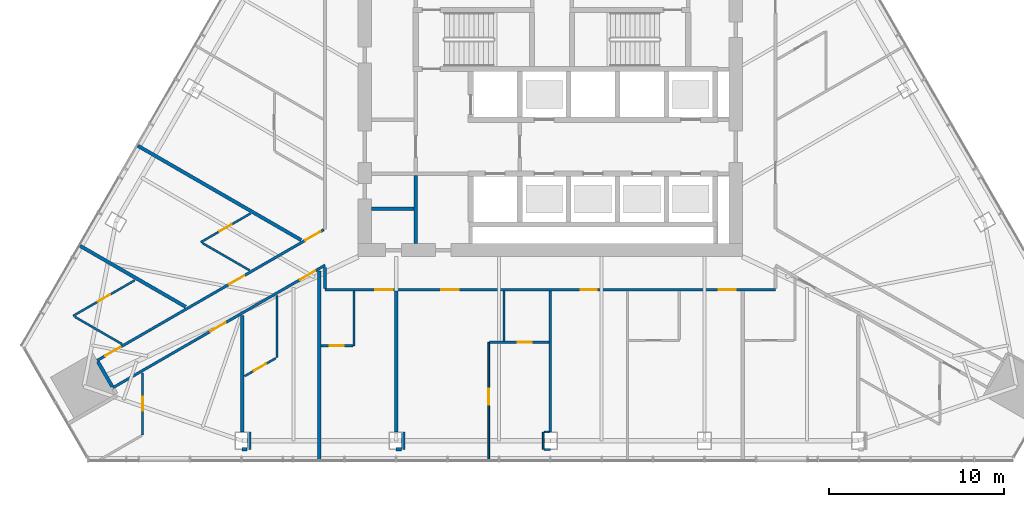
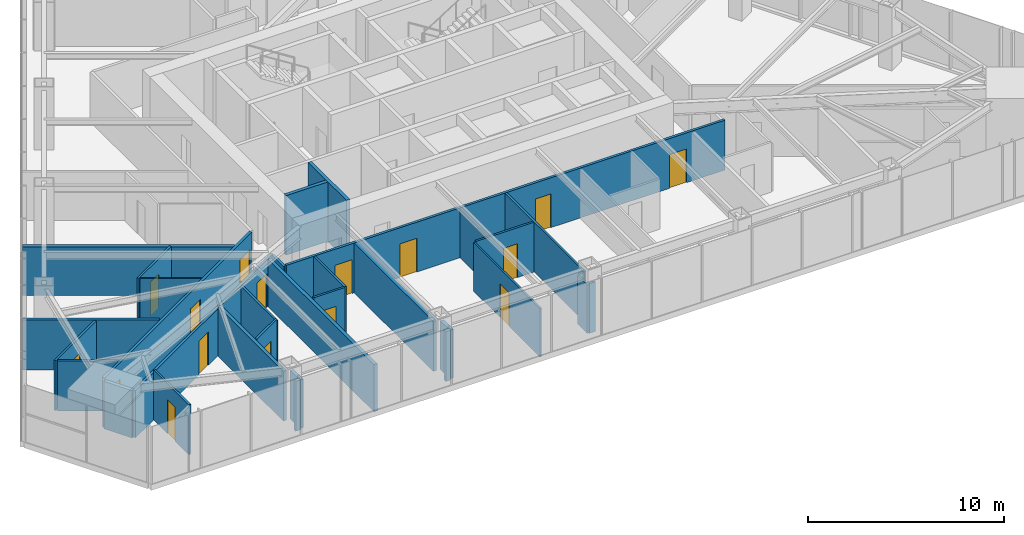
# One storey, part 13 of 19: 32 walls, 16 doors, 16 openings.
"""IFC4 building model written with IfcOpenShell, lengths in metres."""

from ifc_helpers import new_model, si_unit, direction, frame, frame_2d, origin, place, context, subcontext, project, spatial, rectangle, extrude, material, layer, layer_set, type_object, element, fill, save


model = new_model("IFC4")

# Units and contexts
model_context = context("Model", 3, precision=1e-05, world=origin(), true_north=direction((0.0, 1.0)))
body_context = subcontext(model_context, "Body", "Model", "MODEL_VIEW")
ifc_project = project(units=[si_unit("LENGTHUNIT", "METRE"), si_unit("AREAUNIT", "SQUARE_METRE"), si_unit("VOLUMEUNIT", "CUBIC_METRE"), si_unit("PLANEANGLEUNIT", "RADIAN"), si_unit("MASSUNIT", "GRAM", prefix="KILO")], contexts=[model_context])

# Site, building, storey
site_placement = place(None, origin())
site = spatial("IfcSite", under=ifc_project, at=site_placement, CompositionType="ELEMENT")
building_placement = place(site_placement, origin())
building = spatial("IfcBuilding", under=site, at=building_placement, Name="Firuza Gate Tower and Library", CompositionType="ELEMENT")
storey_placement = place(building_placement, frame((0.0, 0.0, 183.10009765625)))
storey = spatial("IfcBuildingStorey", under=building, at=storey_placement, Name="L42", CompositionType="ELEMENT", Elevation=183.10009765625)

# Walls
ifc_material_1 = material(Name="Plasterboard on steel studs", Category="steel")
ifc_layer_1 = layer(ifc_material_1, 0.199951171875)
ifc_layer_set_1 = layer_set([ifc_layer_1], Name="Core partition 200 EI 120")
wall_type_1 = type_object("IfcWallType", Name="Core partition 200 EI 120", PredefinedType="PARTITIONING", material=ifc_layer_set_1)
wall_1_placement = place(storey_placement, frame((67.300048828125, 67.75, 0.0), z_axis=(0.0, 0.0, 1.0), x_axis=(0.0, 1.0, 0.0)))
element("IfcWall", 1, at=wall_1_placement, inside=storey, type_object=wall_type_1, Name="Core partition L42 7", PredefinedType="PARTITIONING", context=body_context, shape_type="SweptSolid", body=[
    extrude(rectangle(XDim=3.89990234375, YDim=0.199951171875, at=frame_2d((1.949951171875, 0.0))), origin(), (0.0, 0.0, 1.0), 3.699951171875),
])
ifc_material_2 = material(Name="Plasterboard on steel studs", Category="steel")
ifc_layer_2 = layer(ifc_material_2, 0.199951171875)
ifc_layer_set_2 = layer_set([ifc_layer_2], Name="Core partition 200 EI 60")
wall_type_2 = type_object("IfcWallType", Name="Core partition 200 EI 60", PredefinedType="PARTITIONING", material=ifc_layer_set_2)
wall_2_placement = place(storey_placement, frame((64.75, 69.75, 0.0), z_axis=(0.0, 0.0, 1.0), x_axis=(1.0, 0.0, 0.0)))
element("IfcWall", 2, at=wall_2_placement, inside=storey, type_object=wall_type_2, Name="Core partition L42 1", PredefinedType="PARTITIONING", context=body_context, shape_type="SweptSolid", body=[
    extrude(rectangle(XDim=2.449951171875, YDim=0.199951171875, at=frame_2d((1.22509765625, 0.0))), origin(), (0.0, 0.0, 1.0), 3.699951171875),
])

# Wall, openings, doors
ifc_material_3 = material(Name="Gypsum board partition")
ifc_layer_3 = layer(ifc_material_3, 0.14990234375)
ifc_layer_set_3 = layer_set([ifc_layer_3], Name="Corridor wall 150 double board on steel studs")
wall_type_3 = type_object("IfcWallType", Name="Corridor wall 150 double board on steel studs", PredefinedType="PARTITIONING", material=ifc_layer_set_3)
wall_3_placement = place(storey_placement, frame((87.89990234375, 65.10009765625, 0.0), z_axis=(0.0, 0.0, 1.0), x_axis=(-1.0, 0.0, 0.0)))
wall_3 = element("IfcWall", 3, at=wall_3_placement, inside=storey, type_object=wall_type_3, Name="f:L42:w009", PredefinedType="PARTITIONING", context=body_context, shape_type="SweptSolid", body=[
    extrude(rectangle(XDim=25.7998046875, YDim=0.14990234375, at=frame_2d((12.89990234375, 0.0))), origin(), (0.0, 0.0, 1.0), 3.099853515625),
])
opening_1_placement = place(wall_3_placement, frame((2.26416015625, 0.0, 0.0)))
opening_1 = element("IfcOpeningElement", 4, at=opening_1_placement, cuts=wall_3, Name="Opening L42-05", PredefinedType="OPENING", context=body_context, shape_type="SweptSolid", body=[
    extrude(rectangle(XDim=1.0, YDim=2.10009765625, at=frame_2d((0.5, 1.050048828125))), frame((0.0, 0.0849609375, 0.0), z_axis=(0.0, -1.0, 0.0), x_axis=(1.0, 0.0, 0.0)), (0.0, 0.0, 1.0), 0.169921875),
])
opening_2_placement = place(wall_3_placement, frame((10.244140625, 0.0, 0.0)))
opening_2 = element("IfcOpeningElement", 5, at=opening_2_placement, cuts=wall_3, Name="Opening L42-06", PredefinedType="OPENING", context=body_context, shape_type="SweptSolid", body=[
    extrude(rectangle(XDim=0.89990234375, YDim=2.10009765625, at=frame_2d((0.449951171875, 1.050048828125))), frame((0.0, 0.0849609375, 0.0), z_axis=(0.0, -1.0, 0.0), x_axis=(1.0, 0.0, 0.0)), (0.0, 0.0, 1.0), 0.169921875),
])
opening_3_placement = place(wall_3_placement, frame((18.135498046875, 0.0, 0.0)))
opening_3 = element("IfcOpeningElement", 6, at=opening_3_placement, cuts=wall_3, Name="Opening L42-07", PredefinedType="OPENING", context=body_context, shape_type="SweptSolid", body=[
    extrude(rectangle(XDim=1.0, YDim=2.10009765625, at=frame_2d((0.5, 1.050048828125))), frame((0.0, 0.0849609375, 0.0), z_axis=(0.0, -1.0, 0.0), x_axis=(1.0, 0.0, 0.0)), (0.0, 0.0, 1.0), 0.169921875),
])
opening_4_placement = place(wall_3_placement, frame((21.935791015625, 0.0, 0.0)))
opening_4 = element("IfcOpeningElement", 7, at=opening_4_placement, cuts=wall_3, Name="Opening L42-08", PredefinedType="OPENING", context=body_context, shape_type="SweptSolid", body=[
    extrude(rectangle(XDim=1.0, YDim=2.10009765625, at=frame_2d((0.5, 1.050048828125))), frame((0.0, 0.0849609375, 0.0), z_axis=(0.0, -1.0, 0.0), x_axis=(1.0, 0.0, 0.0)), (0.0, 0.0, 1.0), 0.169921875),
])
ifc_material_4 = material(Name="Steel door and timber leaf", Category="steel")
door_type_1 = type_object("IfcDoorType", Name="Fire door 1000 x 2100 steel frame, timber leaf", OperationType="NOTDEFINED", PredefinedType="DOOR", material=ifc_material_4)
door_1_placement = place(opening_1_placement, origin())
door_1 = element("IfcDoor", 8, at=door_1_placement, inside=storey, type_object=door_type_1, Name="f:L42:d005", OperationType="SINGLE_SWING_RIGHT", OverallHeight=2.10009765625, OverallWidth=1.0, PredefinedType="DOOR", context=body_context, shape_type="SweptSolid", body=[
    extrude(rectangle(XDim=1.0, YDim=2.10009765625, at=frame_2d((0.5, 1.050048828125))), frame((0.0, 0.02490234375, 0.0), z_axis=(0.0, -1.0, 0.0), x_axis=(1.0, 0.0, 0.0)), (0.0, 0.0, 1.0), 0.050048828125),
])
fill(opening_1, door_1)
door_2_placement = place(opening_3_placement, origin())
door_2 = element("IfcDoor", 9, at=door_2_placement, inside=storey, type_object=door_type_1, Name="f:L42:d007", OperationType="SINGLE_SWING_RIGHT", OverallHeight=2.10009765625, OverallWidth=1.0, PredefinedType="DOOR", context=body_context, shape_type="SweptSolid", body=[
    extrude(rectangle(XDim=1.0, YDim=2.10009765625, at=frame_2d((0.5, 1.050048828125))), frame((0.0, 0.02490234375, 0.0), z_axis=(0.0, -1.0, 0.0), x_axis=(1.0, 0.0, 0.0)), (0.0, 0.0, 1.0), 0.050048828125),
])
fill(opening_3, door_2)
door_3_placement = place(opening_4_placement, origin())
door_3 = element("IfcDoor", 10, at=door_3_placement, inside=storey, type_object=door_type_1, Name="f:L42:d008", OperationType="SINGLE_SWING_RIGHT", OverallHeight=2.10009765625, OverallWidth=1.0, PredefinedType="DOOR", context=body_context, shape_type="SweptSolid", body=[
    extrude(rectangle(XDim=1.0, YDim=2.10009765625, at=frame_2d((0.5, 1.050048828125))), frame((0.0, 0.02490234375, 0.0), z_axis=(0.0, -1.0, 0.0), x_axis=(1.0, 0.0, 0.0)), (0.0, 0.0, 1.0), 0.050048828125),
])
fill(opening_4, door_3)
ifc_material_5 = material(Name="Steel door and timber leaf", Category="steel")
door_type_2 = type_object("IfcDoorType", Name="Fire door 900 x 2100 steel frame, timber leaf", OperationType="NOTDEFINED", PredefinedType="DOOR", material=ifc_material_5)
door_4_placement = place(opening_2_placement, origin())
door_4 = element("IfcDoor", 11, at=door_4_placement, inside=storey, type_object=door_type_2, Name="f:L42:d006", OperationType="SINGLE_SWING_LEFT", OverallHeight=2.10009765625, OverallWidth=0.89990234375, PredefinedType="DOOR", context=body_context, shape_type="SweptSolid", body=[
    extrude(rectangle(XDim=0.89990234375, YDim=2.10009765625, at=frame_2d((0.449951171875, 1.050048828125))), frame((0.0, 0.02490234375, 0.0), z_axis=(0.0, -1.0, 0.0), x_axis=(1.0, 0.0, 0.0)), (0.0, 0.0, 1.0), 0.050048828125),
])
fill(opening_2, door_4)

wall_4_placement = place(storey_placement, frame((62.099853515625, 66.512939453125, 0.0), z_axis=(0.0, 0.0, 1.0), x_axis=(-0.866025334814, -0.500000119461, 0.0)))
wall_4 = element("IfcWall", 12, at=wall_4_placement, inside=storey, type_object=wall_type_3, Name="f:L42:w025", PredefinedType="PARTITIONING", context=body_context, shape_type="SweptSolid", body=[
    extrude(rectangle(XDim=14.02978515625, YDim=0.14990234375, at=frame_2d((7.014892578125, 0.0))), origin(), (0.0, 0.0, 1.0), 2.947021484375),
])
opening_5_placement = place(wall_4_placement, frame((0.656005859375, 0.0, 0.0)))
opening_5 = element("IfcOpeningElement", 13, at=opening_5_placement, cuts=wall_4, Name="Opening L42-15", PredefinedType="OPENING", context=body_context, shape_type="SweptSolid", body=[
    extrude(rectangle(XDim=1.0, YDim=2.10009765625, at=frame_2d((0.5, 1.050048828125))), frame((0.0, 0.0849609375, 0.0), z_axis=(0.0, -1.0, 0.0), x_axis=(1.0, 0.0, 0.0)), (0.0, 0.0, 1.0), 0.169921875),
])
opening_6_placement = place(wall_4_placement, frame((6.581787109375, 0.0, 0.0)))
opening_6 = element("IfcOpeningElement", 14, at=opening_6_placement, cuts=wall_4, Name="Opening L42-16", PredefinedType="OPENING", context=body_context, shape_type="SweptSolid", body=[
    extrude(rectangle(XDim=1.0, YDim=2.10009765625, at=frame_2d((0.5, 1.050048828125))), frame((0.0, 0.0849609375, 0.0), z_axis=(0.0, -1.0, 0.0), x_axis=(1.0, 0.0, 0.0)), (0.0, 0.0, 1.0), 0.169921875),
])
door_5_placement = place(opening_5_placement, origin())
door_5 = element("IfcDoor", 15, at=door_5_placement, inside=storey, type_object=door_type_1, Name="f:L42:d015", OperationType="SINGLE_SWING_RIGHT", OverallHeight=2.10009765625, OverallWidth=1.0, PredefinedType="DOOR", context=body_context, shape_type="SweptSolid", body=[
    extrude(rectangle(XDim=1.0, YDim=2.10009765625, at=frame_2d((0.5, 1.050048828125))), frame((0.0, 0.02490234375, 0.0), z_axis=(0.0, -1.0, 0.0), x_axis=(1.0, 0.0, 0.0)), (0.0, 0.0, 1.0), 0.050048828125),
])
fill(opening_5, door_5)
door_6_placement = place(opening_6_placement, origin())
door_6 = element("IfcDoor", 16, at=door_6_placement, inside=storey, type_object=door_type_1, Name="f:L42:d016", OperationType="SINGLE_SWING_RIGHT", OverallHeight=2.10009765625, OverallWidth=1.0, PredefinedType="DOOR", context=body_context, shape_type="SweptSolid", body=[
    extrude(rectangle(XDim=1.0, YDim=2.10009765625, at=frame_2d((0.5, 1.050048828125))), frame((0.0, 0.02490234375, 0.0), z_axis=(0.0, -1.0, 0.0), x_axis=(1.0, 0.0, 0.0)), (0.0, 0.0, 1.0), 0.050048828125),
])
fill(opening_6, door_6)

wall_5_placement = place(storey_placement, frame((49.050048828125, 61.05712890625, 0.0), z_axis=(0.0, 0.0, 1.0), x_axis=(0.866027379905, 0.499996577244, 0.0)))
wall_5 = element("IfcWall", 17, at=wall_5_placement, inside=storey, type_object=wall_type_3, Name="f:L42:w028", PredefinedType="PARTITIONING", context=body_context, shape_type="SweptSolid", body=[
    extrude(rectangle(XDim=14.98193359375, YDim=0.14990234375, at=frame_2d((7.490966796875, 0.0))), origin(), (0.0, 0.0, 1.0), 3.099853515625),
])
opening_7_placement = place(wall_5_placement, frame((0.532470703125, 0.0, 0.0)))
opening_7 = element("IfcOpeningElement", 18, at=opening_7_placement, cuts=wall_5, Name="Opening L42-17", PredefinedType="OPENING", context=body_context, shape_type="SweptSolid", body=[
    extrude(rectangle(XDim=1.0, YDim=2.10009765625, at=frame_2d((0.5, 1.050048828125))), frame((0.0, 0.0849609375, 0.0), z_axis=(0.0, -1.0, 0.0), x_axis=(1.0, 0.0, 0.0)), (0.0, 0.0, 1.0), 0.169921875),
])
opening_8_placement = place(wall_5_placement, frame((8.724853515625, 0.0, 0.0)))
opening_8 = element("IfcOpeningElement", 19, at=opening_8_placement, cuts=wall_5, Name="Opening L42-18", PredefinedType="OPENING", context=body_context, shape_type="SweptSolid", body=[
    extrude(rectangle(XDim=1.0, YDim=2.10009765625, at=frame_2d((0.5, 1.050048828125))), frame((0.0, 0.0849609375, 0.0), z_axis=(0.0, -1.0, 0.0), x_axis=(1.0, 0.0, 0.0)), (0.0, 0.0, 1.0), 0.169921875),
])
opening_9_placement = place(wall_5_placement, frame((13.760498046875, 0.0, 0.0)))
opening_9 = element("IfcOpeningElement", 20, at=opening_9_placement, cuts=wall_5, Name="Opening L42-19", PredefinedType="OPENING", context=body_context, shape_type="SweptSolid", body=[
    extrude(rectangle(XDim=1.0, YDim=2.10009765625, at=frame_2d((0.5, 1.050048828125))), frame((0.0, 0.0849609375, 0.0), z_axis=(0.0, -1.0, 0.0), x_axis=(1.0, 0.0, 0.0)), (0.0, 0.0, 1.0), 0.169921875),
])
door_7_placement = place(opening_7_placement, origin())
door_7 = element("IfcDoor", 21, at=door_7_placement, inside=storey, type_object=door_type_1, Name="f:L42:d017", OperationType="SINGLE_SWING_LEFT", OverallHeight=2.10009765625, OverallWidth=1.0, PredefinedType="DOOR", context=body_context, shape_type="SweptSolid", body=[
    extrude(rectangle(XDim=1.0, YDim=2.10009765625, at=frame_2d((0.5, 1.050048828125))), frame((0.0, 0.02490234375, 0.0), z_axis=(0.0, -1.0, 0.0), x_axis=(1.0, 0.0, 0.0)), (0.0, 0.0, 1.0), 0.050048828125),
])
fill(opening_7, door_7)
door_8_placement = place(opening_8_placement, origin())
door_8 = element("IfcDoor", 22, at=door_8_placement, inside=storey, type_object=door_type_1, Name="f:L42:d018", OperationType="SINGLE_SWING_LEFT", OverallHeight=2.10009765625, OverallWidth=1.0, PredefinedType="DOOR", context=body_context, shape_type="SweptSolid", body=[
    extrude(rectangle(XDim=1.0, YDim=2.10009765625, at=frame_2d((0.5, 1.050048828125))), frame((0.0, 0.02490234375, 0.0), z_axis=(0.0, -1.0, 0.0), x_axis=(1.0, 0.0, 0.0)), (0.0, 0.0, 1.0), 0.050048828125),
])
fill(opening_8, door_8)
door_9_placement = place(opening_9_placement, origin())
door_9 = element("IfcDoor", 23, at=door_9_placement, inside=storey, type_object=door_type_1, Name="f:L42:d019", OperationType="SINGLE_SWING_LEFT", OverallHeight=2.10009765625, OverallWidth=1.0, PredefinedType="DOOR", context=body_context, shape_type="SweptSolid", body=[
    extrude(rectangle(XDim=1.0, YDim=2.10009765625, at=frame_2d((0.5, 1.050048828125))), frame((0.0, 0.02490234375, 0.0), z_axis=(0.0, -1.0, 0.0), x_axis=(1.0, 0.0, 0.0)), (0.0, 0.0, 1.0), 0.050048828125),
])
fill(opening_9, door_9)

# Walls
wall_6_placement = place(storey_placement, frame((62.10009765625, 65.175048828125, 0.0), z_axis=(0.0, 0.0, 1.0), x_axis=(0.0, 1.0, 0.0)))
element("IfcWall", 24, at=wall_6_placement, inside=storey, type_object=wall_type_3, Name="f:L42:w073", PredefinedType="PARTITIONING", context=body_context, shape_type="SweptSolid", body=[
    extrude(rectangle(XDim=1.201416015625, YDim=0.14990234375, at=frame_2d((0.6005859375, 0.0))), origin(), (0.0, 0.0, 1.0), 2.947021484375),
])
ifc_material_6 = material(Name="Gypsum board partition")
ifc_layer_4 = layer(ifc_material_6, 0.199951171875)
ifc_layer_set_4 = layer_set([ifc_layer_4], Name="Demising wall 200 acoustic double stud")
wall_type_4 = type_object("IfcWallType", Name="Demising wall 200 acoustic double stud", PredefinedType="PARTITIONING", material=ifc_layer_set_4)
for number, where, z_axis, x_axis, name in (
    (25, (57.352294921875, 55.9599609375, 0.0), (0.0, 0.0, 1.0), (1.0, 0.0, 0.0), "f:L42:w000"),
    (26, (66.176025390625, 55.9599609375, 0.0), (0.0, 0.0, 1.0), (1.0, 0.0, 0.0), "f:L42:w001"),
):
    element("IfcWall", number, at=place(storey_placement, frame(where, z_axis=z_axis, x_axis=x_axis)), inside=storey, type_object=wall_type_4, Name=name, PredefinedType="PARTITIONING", context=body_context, shape_type="SweptSolid", body=[
        extrude(rectangle(XDim=0.2900390625, YDim=0.199951171875, at=frame_2d((0.14501953125, 0.0))), origin(), (0.0, 0.0, 1.0), 3.099853515625),
    ])
wall_7_placement = place(storey_placement, frame((66.575927734375, 55.959716796875, 0.0), z_axis=(0.0, 0.0, 1.0), x_axis=(0.0, 1.0, 0.0)))
element("IfcWall", 27, at=wall_7_placement, inside=storey, type_object=wall_type_4, Name="f:L42:w069", PredefinedType="PARTITIONING", context=body_context, shape_type="SweptSolid", body=[
    extrude(rectangle(XDim=1.0, YDim=0.199951171875, at=frame_2d((0.5, 0.0))), origin(), (0.0, 0.0, 1.0), 3.02197265625),
])
wall_8_placement = place(storey_placement, frame((66.176025390625, 56.959716796875, 0.0), z_axis=(0.0, 0.0, 1.0), x_axis=(0.0, 1.0, 0.0)))
element("IfcWall", 28, at=wall_8_placement, inside=storey, type_object=wall_type_4, Name="f:L42:w071", PredefinedType="PARTITIONING", context=body_context, shape_type="SweptSolid", body=[
    extrude(rectangle(XDim=8.065185546875, YDim=0.199951171875, at=frame_2d((4.03271484375, 0.0))), origin(), (0.0, 0.0, 1.0), 3.099853515625),
])
wall_9_placement = place(storey_placement, frame((61.763916015625, 55.359619140625, 0.0), z_axis=(0.0, 0.0, 1.0), x_axis=(0.0, 1.0, 0.0)))
element("IfcWall", 29, at=wall_9_placement, inside=storey, type_object=wall_type_4, Name="f:L42:w075", PredefinedType="PARTITIONING", context=body_context, shape_type="SweptSolid", body=[
    extrude(rectangle(XDim=10.812744140625, YDim=0.199951171875, at=frame_2d((5.40625, 0.0))), origin(), (0.0, 0.0, 1.0), 2.947021484375),
])
wall_10_placement = place(storey_placement, frame((57.751953125, 55.959716796875, 0.0), z_axis=(0.0, 0.0, 1.0), x_axis=(0.0, 1.0, 0.0)))
element("IfcWall", 30, at=wall_10_placement, inside=storey, type_object=wall_type_4, Name="f:L42:w078", PredefinedType="PARTITIONING", context=body_context, shape_type="SweptSolid", body=[
    extrude(rectangle(XDim=1.0, YDim=0.199951171875, at=frame_2d((0.5, 0.0))), origin(), (0.0, 0.0, 1.0), 3.02197265625),
])
wall_11_placement = place(storey_placement, frame((57.35205078125, 56.959716796875, 0.0), z_axis=(0.0, 0.0, 1.0), x_axis=(0.0, 1.0, 0.0)))
element("IfcWall", 31, at=wall_11_placement, inside=storey, type_object=wall_type_4, Name="f:L42:w079", PredefinedType="PARTITIONING", context=body_context, shape_type="SweptSolid", body=[
    extrude(rectangle(XDim=6.66552734375, YDim=0.199951171875, at=frame_2d((3.332763671875, 0.0))), origin(), (0.0, 0.0, 1.0), 3.099853515625),
])
wall_12_placement = place(storey_placement, frame((60.7373046875, 67.951171875, 0.0), z_axis=(0.0, 0.0, 1.0), x_axis=(-0.866033683985, 0.499985657998, 0.0)))
element("IfcWall", 32, at=wall_12_placement, inside=storey, type_object=wall_type_4, Name="f:L42:w096", PredefinedType="PARTITIONING", context=body_context, shape_type="SweptSolid", body=[
    extrude(rectangle(XDim=10.812744140625, YDim=0.199951171875, at=frame_2d((5.40625, 0.0))), origin(), (0.0, 0.0, 1.0), 3.02197265625),
])
wall_13_placement = place(storey_placement, frame((54.119140625, 64.130126953125, 0.0), z_axis=(0.0, 0.0, 1.0), x_axis=(-0.866016957496, 0.500014629116, 0.0)))
element("IfcWall", 33, at=wall_13_placement, inside=storey, type_object=wall_type_4, Name="f:L42:w098", PredefinedType="PARTITIONING", context=body_context, shape_type="SweptSolid", body=[
    extrude(rectangle(XDim=6.991943359375, YDim=0.199951171875, at=frame_2d((3.49609375, 0.0))), origin(), (0.0, 0.0, 1.0), 3.099853515625),
])
wall_14_placement = place(storey_placement, frame((49.912353515625, 59.563232421875, 0.0), z_axis=(0.0, 0.0, 1.0), x_axis=(-0.500055614084, 0.865993292597, 0.0)))
element("IfcWall", 34, at=wall_14_placement, inside=storey, type_object=wall_type_4, Name="f:L42:w103", PredefinedType="PARTITIONING", context=body_context, shape_type="SweptSolid", body=[
    extrude(rectangle(XDim=1.649169921875, YDim=0.199951171875, at=frame_2d((0.82470703125, 0.0))), origin(), (0.0, 0.0, 1.0), 2.947021484375),
])
ifc_material_7 = material(Name="Gypsum board partition")
ifc_layer_5 = layer(ifc_material_7, 0.10009765625)
ifc_layer_set_5 = layer_set([ifc_layer_5], Name="Partition 100 gypsum board on steel studs")
wall_type_5 = type_object("IfcWallType", Name="Partition 100 gypsum board on steel studs", PredefinedType="PARTITIONING", material=ifc_layer_set_5)
wall_15_placement = place(storey_placement, frame((74.650390625, 55.9599609375, 0.0), z_axis=(0.0, 0.0, 1.0), x_axis=(1.0, 0.0, 0.0)))
element("IfcWall", 35, at=wall_15_placement, inside=storey, type_object=wall_type_5, Name="f:L42:w002", PredefinedType="PARTITIONING", context=body_context, shape_type="SweptSolid", body=[
    extrude(rectangle(XDim=0.34912109375, YDim=0.10009765625, at=frame_2d((0.174560546875, 0.0))), origin(), (0.0, 0.0, 1.0), 3.099853515625),
])
wall_16_placement = place(storey_placement, frame((74.650390625, 56.9599609375, 0.0), z_axis=(0.0, 0.0, 1.0), x_axis=(1.0, 0.0, 0.0)))
element("IfcWall", 36, at=wall_16_placement, inside=storey, type_object=wall_type_5, Name="f:L42:w004", PredefinedType="PARTITIONING", context=body_context, shape_type="SweptSolid", body=[
    extrude(rectangle(XDim=0.2890625, YDim=0.10009765625, at=frame_2d((0.14453125, 0.0))), origin(), (0.0, 0.0, 1.0), 3.099853515625),
])
wall_17_placement = place(storey_placement, frame((74.60009765625, 55.960205078125, 0.0), z_axis=(0.0, 0.0, 1.0), x_axis=(0.0, 1.0, 0.0)))
element("IfcWall", 37, at=wall_17_placement, inside=storey, type_object=wall_type_5, Name="f:L42:w060", PredefinedType="PARTITIONING", context=body_context, shape_type="SweptSolid", body=[
    extrude(rectangle(XDim=0.9990234375, YDim=0.10009765625, at=frame_2d((0.49951171875, 0.0))), origin(), (0.0, 0.0, 1.0), 3.02197265625),
])

# Wall, opening, door
wall_18_placement = place(storey_placement, frame((71.469970703125, 62.10009765625, 0.0), z_axis=(0.0, 0.0, 1.0), x_axis=(0.0, -1.0, 0.0)))
wall_18 = element("IfcWall", 38, at=wall_18_placement, inside=storey, type_object=wall_type_5, Name="f:L42:w065", PredefinedType="PARTITIONING", context=body_context, shape_type="SweptSolid", body=[
    extrude(rectangle(XDim=6.740478515625, YDim=0.10009765625, at=frame_2d((3.3701171875, 0.0))), origin(), (0.0, 0.0, 1.0), 3.02197265625),
])
opening_10_placement = place(wall_18_placement, frame((2.670166015625, 0.0, 0.0)))
opening_10 = element("IfcOpeningElement", 39, at=opening_10_placement, cuts=wall_18, Name="Opening L42-32", PredefinedType="OPENING", context=body_context, shape_type="SweptSolid", body=[
    extrude(rectangle(XDim=0.89990234375, YDim=2.10009765625, at=frame_2d((0.449951171875, 1.050048828125))), frame((0.0, 0.06005859375, 0.0), z_axis=(0.0, -1.0, 0.0), x_axis=(1.0, 0.0, 0.0)), (0.0, 0.0, 1.0), 0.1201171875),
])
ifc_material_8 = material(Name="Timber door", Category="wood")
door_type_3 = type_object("IfcDoorType", Name="Door 900 x 2100 timber leaf", OperationType="NOTDEFINED", PredefinedType="DOOR", material=ifc_material_8)
door_10_placement = place(opening_10_placement, origin())
door_10 = element("IfcDoor", 40, at=door_10_placement, inside=storey, type_object=door_type_3, Name="f:L42:d032", OperationType="SINGLE_SWING_LEFT", OverallHeight=2.10009765625, OverallWidth=0.89990234375, PredefinedType="DOOR", context=body_context, shape_type="SweptSolid", body=[
    extrude(rectangle(XDim=0.89990234375, YDim=2.10009765625, at=frame_2d((0.449951171875, 1.050048828125))), frame((0.0, 0.02490234375, 0.0), z_axis=(0.0, -1.0, 0.0), x_axis=(1.0, 0.0, 0.0)), (0.0, 0.0, 1.0), 0.050048828125),
])
fill(opening_10, door_10)

ifc_material_9 = material(Name="Gypsum board partition")
ifc_layer_6 = layer(ifc_material_9, 0.1201171875)
ifc_layer_set_6 = layer_set([ifc_layer_6], Name="Wet-area partition 120 moisture-resistant board")
wall_type_6 = type_object("IfcWallType", Name="Wet-area partition 120 moisture-resistant board", PredefinedType="PARTITIONING", material=ifc_layer_set_6)
wall_19_placement = place(storey_placement, frame((61.8642578125, 61.89990234375, 0.0), z_axis=(0.0, 0.0, 1.0), x_axis=(1.0, 0.0, 0.0)))
wall_19 = element("IfcWall", 41, at=wall_19_placement, inside=storey, type_object=wall_type_6, Name="f:L42:w005", PredefinedType="PARTITIONING", context=body_context, shape_type="SweptSolid", body=[
    extrude(rectangle(XDim=1.825439453125, YDim=0.1201171875, at=frame_2d((0.91259765625, 0.0))), origin(), (0.0, 0.0, 1.0), 3.099853515625),
])
opening_11_placement = place(wall_19_placement, frame((0.5126953125, 0.0, 0.0)))
opening_11 = element("IfcOpeningElement", 42, at=opening_11_placement, cuts=wall_19, Name="Opening L42-01", PredefinedType="OPENING", context=body_context, shape_type="SweptSolid", body=[
    extrude(rectangle(XDim=0.800048828125, YDim=2.10009765625, at=frame_2d((0.39990234375, 1.050048828125))), frame((0.0, 0.070068359375, 0.0), z_axis=(0.0, -1.0, 0.0), x_axis=(1.0, 0.0, 0.0)), (0.0, 0.0, 1.0), 0.14013671875),
])
ifc_material_10 = material(Name="Timber door", Category="wood")
door_type_4 = type_object("IfcDoorType", Name="Door 800 x 2100 timber leaf", OperationType="NOTDEFINED", PredefinedType="DOOR", material=ifc_material_10)
door_11_placement = place(opening_11_placement, origin())
door_11 = element("IfcDoor", 43, at=door_11_placement, inside=storey, type_object=door_type_4, Name="f:L42:d001", OperationType="SINGLE_SWING_RIGHT", OverallHeight=2.10009765625, OverallWidth=0.800048828125, PredefinedType="DOOR", context=body_context, shape_type="SweptSolid", body=[
    extrude(rectangle(XDim=0.800048828125, YDim=2.10009765625, at=frame_2d((0.39990234375, 1.050048828125))), frame((0.0, 0.02490234375, 0.0), z_axis=(0.0, -1.0, 0.0), x_axis=(1.0, 0.0, 0.0)), (0.0, 0.0, 1.0), 0.050048828125),
])
fill(opening_11, door_11)

wall_20_placement = place(storey_placement, frame((71.5205078125, 62.10009765625, 0.0), z_axis=(0.0, 0.0, 1.0), x_axis=(1.0, 0.0, 0.0)))
wall_20 = element("IfcWall", 44, at=wall_20_placement, inside=storey, type_object=wall_type_6, Name="f:L42:w006", PredefinedType="PARTITIONING", context=body_context, shape_type="SweptSolid", body=[
    extrude(rectangle(XDim=3.41943359375, YDim=0.1201171875, at=frame_2d((1.709716796875, 0.0))), origin(), (0.0, 0.0, 1.0), 3.099853515625),
])
opening_12_placement = place(wall_20_placement, frame((1.6259765625, 0.0, 0.0)))
opening_12 = element("IfcOpeningElement", 45, at=opening_12_placement, cuts=wall_20, Name="Opening L42-02", PredefinedType="OPENING", context=body_context, shape_type="SweptSolid", body=[
    extrude(rectangle(XDim=0.800048828125, YDim=2.10009765625, at=frame_2d((0.39990234375, 1.050048828125))), frame((0.0, 0.070068359375, 0.0), z_axis=(0.0, -1.0, 0.0), x_axis=(1.0, 0.0, 0.0)), (0.0, 0.0, 1.0), 0.14013671875),
])
door_12_placement = place(opening_12_placement, origin())
door_12 = element("IfcDoor", 46, at=door_12_placement, inside=storey, type_object=door_type_4, Name="f:L42:d002", OperationType="SINGLE_SWING_LEFT", OverallHeight=2.10009765625, OverallWidth=0.800048828125, PredefinedType="DOOR", context=body_context, shape_type="SweptSolid", body=[
    extrude(rectangle(XDim=0.800048828125, YDim=2.10009765625, at=frame_2d((0.39990234375, 1.050048828125))), frame((0.0, 0.02490234375, 0.0), z_axis=(0.0, -1.0, 0.0), x_axis=(1.0, 0.0, 0.0)), (0.0, 0.0, 1.0), 0.050048828125),
])
fill(opening_12, door_12)

wall_21_placement = place(storey_placement, frame((57.48681640625, 60.154541015625, 0.0), z_axis=(0.0, 0.0, 1.0), x_axis=(0.866018462269, 0.500012022864, 0.0)))
wall_21 = element("IfcWall", 47, at=wall_21_placement, inside=storey, type_object=wall_type_6, Name="f:L42:w022", PredefinedType="PARTITIONING", context=body_context, shape_type="SweptSolid", body=[
    extrude(rectangle(XDim=2.06787109375, YDim=0.1201171875, at=frame_2d((1.033935546875, 0.0))), origin(), (0.0, 0.0, 1.0), 3.099853515625),
])
opening_13_placement = place(wall_21_placement, frame((0.6337890625, 0.0, 0.0)))
opening_13 = element("IfcOpeningElement", 48, at=opening_13_placement, cuts=wall_21, Name="Opening L42-13", PredefinedType="OPENING", context=body_context, shape_type="SweptSolid", body=[
    extrude(rectangle(XDim=0.800048828125, YDim=2.10009765625, at=frame_2d((0.39990234375, 1.050048828125))), frame((0.0, 0.070068359375, 0.0), z_axis=(0.0, -1.0, 0.0), x_axis=(1.0, 0.0, 0.0)), (0.0, 0.0, 1.0), 0.14013671875),
])
door_13_placement = place(opening_13_placement, origin())
door_13 = element("IfcDoor", 49, at=door_13_placement, inside=storey, type_object=door_type_4, Name="f:L42:d013", OperationType="SINGLE_SWING_RIGHT", OverallHeight=2.10009765625, OverallWidth=0.800048828125, PredefinedType="DOOR", context=body_context, shape_type="SweptSolid", body=[
    extrude(rectangle(XDim=0.800048828125, YDim=2.10009765625, at=frame_2d((0.39990234375, 1.050048828125))), frame((0.0, 0.02490234375, 0.0), z_axis=(0.0, -1.0, 0.0), x_axis=(1.0, 0.0, 0.0)), (0.0, 0.0, 1.0), 0.050048828125),
])
fill(opening_13, door_13)

wall_22_placement = place(storey_placement, frame((51.211669921875, 65.65380859375, 0.0), z_axis=(0.0, 0.0, 1.0), x_axis=(-0.866038243659, -0.499977760025, 0.0)))
wall_22 = element("IfcWall", 50, at=wall_22_placement, inside=storey, type_object=wall_type_6, Name="f:L42:w030", PredefinedType="PARTITIONING", context=body_context, shape_type="SweptSolid", body=[
    extrude(rectangle(XDim=4.083740234375, YDim=0.1201171875, at=frame_2d((2.0419921875, 0.0))), origin(), (0.0, 0.0, 1.0), 3.099853515625),
])
opening_14_placement = place(wall_22_placement, frame((1.641845703125, 0.0, 0.0)))
opening_14 = element("IfcOpeningElement", 51, at=opening_14_placement, cuts=wall_22, Name="Opening L42-20", PredefinedType="OPENING", context=body_context, shape_type="SweptSolid", body=[
    extrude(rectangle(XDim=0.800048828125, YDim=2.10009765625, at=frame_2d((0.39990234375, 1.050048828125))), frame((0.0, 0.070068359375, 0.0), z_axis=(0.0, -1.0, 0.0), x_axis=(1.0, 0.0, 0.0)), (0.0, 0.0, 1.0), 0.14013671875),
])
door_14_placement = place(opening_14_placement, origin())
door_14 = element("IfcDoor", 52, at=door_14_placement, inside=storey, type_object=door_type_4, Name="f:L42:d020", OperationType="SINGLE_SWING_LEFT", OverallHeight=2.10009765625, OverallWidth=0.800048828125, PredefinedType="DOOR", context=body_context, shape_type="SweptSolid", body=[
    extrude(rectangle(XDim=0.800048828125, YDim=2.10009765625, at=frame_2d((0.39990234375, 1.050048828125))), frame((0.0, 0.02490234375, 0.0), z_axis=(0.0, -1.0, 0.0), x_axis=(1.0, 0.0, 0.0)), (0.0, 0.0, 1.0), 0.050048828125),
])
fill(opening_14, door_14)

wall_23_placement = place(storey_placement, frame((57.82958984375, 69.474609375, 0.0), z_axis=(0.0, 0.0, 1.0), x_axis=(-0.866038236991, -0.499977771575, 0.0)))
wall_23 = element("IfcWall", 53, at=wall_23_placement, inside=storey, type_object=wall_type_6, Name="f:L42:w031", PredefinedType="PARTITIONING", context=body_context, shape_type="SweptSolid", body=[
    extrude(rectangle(XDim=3.283447265625, YDim=0.1201171875, at=frame_2d((1.6416015625, 0.0))), origin(), (0.0, 0.0, 1.0), 3.099853515625),
])
opening_15_placement = place(wall_23_placement, frame((1.24169921875, 0.0, 0.0)))
opening_15 = element("IfcOpeningElement", 54, at=opening_15_placement, cuts=wall_23, Name="Opening L42-21", PredefinedType="OPENING", context=body_context, shape_type="SweptSolid", body=[
    extrude(rectangle(XDim=0.800048828125, YDim=2.10009765625, at=frame_2d((0.39990234375, 1.050048828125))), frame((0.0, 0.070068359375, 0.0), z_axis=(0.0, -1.0, 0.0), x_axis=(1.0, 0.0, 0.0)), (0.0, 0.0, 1.0), 0.14013671875),
])
door_15_placement = place(opening_15_placement, origin())
door_15 = element("IfcDoor", 55, at=door_15_placement, inside=storey, type_object=door_type_4, Name="f:L42:d021", OperationType="SINGLE_SWING_LEFT", OverallHeight=2.10009765625, OverallWidth=0.800048828125, PredefinedType="DOOR", context=body_context, shape_type="SweptSolid", body=[
    extrude(rectangle(XDim=0.800048828125, YDim=2.10009765625, at=frame_2d((0.39990234375, 1.050048828125))), frame((0.0, 0.02490234375, 0.0), z_axis=(0.0, -1.0, 0.0), x_axis=(1.0, 0.0, 0.0)), (0.0, 0.0, 1.0), 0.050048828125),
])
fill(opening_15, door_15)

# Walls
wall_24_placement = place(storey_placement, frame((75.0, 56.960205078125, 0.0), z_axis=(0.0, 0.0, 1.0), x_axis=(0.0, 1.0, 0.0)))
element("IfcWall", 56, at=wall_24_placement, inside=storey, type_object=wall_type_6, Name="f:L42:w059", PredefinedType="PARTITIONING", context=body_context, shape_type="SweptSolid", body=[
    extrude(rectangle(XDim=8.064697265625, YDim=0.1201171875, at=frame_2d((4.0322265625, 0.0))), origin(), (0.0, 0.0, 1.0), 3.099853515625),
])
wall_25_placement = place(storey_placement, frame((72.35302734375, 62.159912109375, 0.0), z_axis=(0.0, 0.0, 1.0), x_axis=(0.0, 1.0, 0.0)))
element("IfcWall", 57, at=wall_25_placement, inside=storey, type_object=wall_type_6, Name="f:L42:w063", PredefinedType="PARTITIONING", context=body_context, shape_type="SweptSolid", body=[
    extrude(rectangle(XDim=2.864990234375, YDim=0.1201171875, at=frame_2d((1.4326171875, 0.0))), origin(), (0.0, 0.0, 1.0), 3.099853515625),
])
wall_26_placement = place(storey_placement, frame((63.75, 61.89990234375, 0.0), z_axis=(0.0, 0.0, 1.0), x_axis=(0.0, 1.0, 0.0)))
element("IfcWall", 58, at=wall_26_placement, inside=storey, type_object=wall_type_6, Name="f:L42:w072", PredefinedType="PARTITIONING", context=body_context, shape_type="SweptSolid", body=[
    extrude(rectangle(XDim=3.125, YDim=0.1201171875, at=frame_2d((1.5625, 0.0))), origin(), (0.0, 0.0, 1.0), 3.099853515625),
])
wall_27_placement = place(storey_placement, frame((59.337890625, 61.22314453125, 0.0), z_axis=(0.0, 0.0, 1.0), x_axis=(0.0, 1.0, 0.0)))
element("IfcWall", 59, at=wall_27_placement, inside=storey, type_object=wall_type_6, Name="f:L42:w076", PredefinedType="PARTITIONING", context=body_context, shape_type="SweptSolid", body=[
    extrude(rectangle(XDim=3.568359375, YDim=0.1201171875, at=frame_2d((1.7841796875, 0.0))), origin(), (0.0, 0.0, 1.0), 2.947021484375),
])

# Wall, opening, door
wall_28_placement = place(storey_placement, frame((51.652099609375, 56.785888671875, 0.0), z_axis=(0.0, 0.0, 1.0), x_axis=(0.0, 1.0, 0.0)))
wall_28 = element("IfcWall", 60, at=wall_28_placement, inside=storey, type_object=wall_type_6, Name="f:L42:w080", PredefinedType="PARTITIONING", context=body_context, shape_type="SweptSolid", body=[
    extrude(rectangle(XDim=3.568359375, YDim=0.1201171875, at=frame_2d((1.7841796875, 0.0))), origin(), (0.0, 0.0, 1.0), 3.099853515625),
])
opening_16_placement = place(wall_28_placement, frame((1.38427734375, 0.0, 0.0)))
opening_16 = element("IfcOpeningElement", 61, at=opening_16_placement, cuts=wall_28, Name="Opening L42-37", PredefinedType="OPENING", context=body_context, shape_type="SweptSolid", body=[
    extrude(rectangle(XDim=0.800048828125, YDim=2.10009765625, at=frame_2d((0.39990234375, 1.050048828125))), frame((0.0, 0.070068359375, 0.0), z_axis=(0.0, -1.0, 0.0), x_axis=(1.0, 0.0, 0.0)), (0.0, 0.0, 1.0), 0.14013671875),
])
door_16_placement = place(opening_16_placement, origin())
door_16 = element("IfcDoor", 62, at=door_16_placement, inside=storey, type_object=door_type_4, Name="f:L42:d037", OperationType="SINGLE_SWING_RIGHT", OverallHeight=2.10009765625, OverallWidth=0.800048828125, PredefinedType="DOOR", context=body_context, shape_type="SweptSolid", body=[
    extrude(rectangle(XDim=0.800048828125, YDim=2.10009765625, at=frame_2d((0.39990234375, 1.050048828125))), frame((0.0, 0.02490234375, 0.0), z_axis=(0.0, -1.0, 0.0), x_axis=(1.0, 0.0, 0.0)), (0.0, 0.0, 1.0), 0.050048828125),
])
fill(opening_16, door_16)

# Walls
wall_29_placement = place(storey_placement, frame((57.7763671875, 66.2216796875, 0.0), z_axis=(0.0, 0.0, 1.0), x_axis=(-0.866009247561, 0.500027982357, 0.0)))
element("IfcWall", 63, at=wall_29_placement, inside=storey, type_object=wall_type_6, Name="f:L42:w097", PredefinedType="PARTITIONING", context=body_context, shape_type="SweptSolid", body=[
    extrude(rectangle(XDim=3.112548828125, YDim=0.1201171875, at=frame_2d((1.55615234375, 0.0))), origin(), (0.0, 0.0, 1.0), 3.099853515625),
])
wall_30_placement = place(storey_placement, frame((50.465576171875, 62.000732421875, 0.0), z_axis=(0.0, 0.0, 1.0), x_axis=(-0.866028856698, 0.499994019331, 0.0)))
element("IfcWall", 64, at=wall_30_placement, inside=storey, type_object=wall_type_6, Name="f:L42:w099", PredefinedType="PARTITIONING", context=body_context, shape_type="SweptSolid", body=[
    extrude(rectangle(XDim=3.11279296875, YDim=0.1201171875, at=frame_2d((1.556396484375, 0.0))), origin(), (0.0, 0.0, 1.0), 3.099853515625),
])

save(model, "model.ifc")
